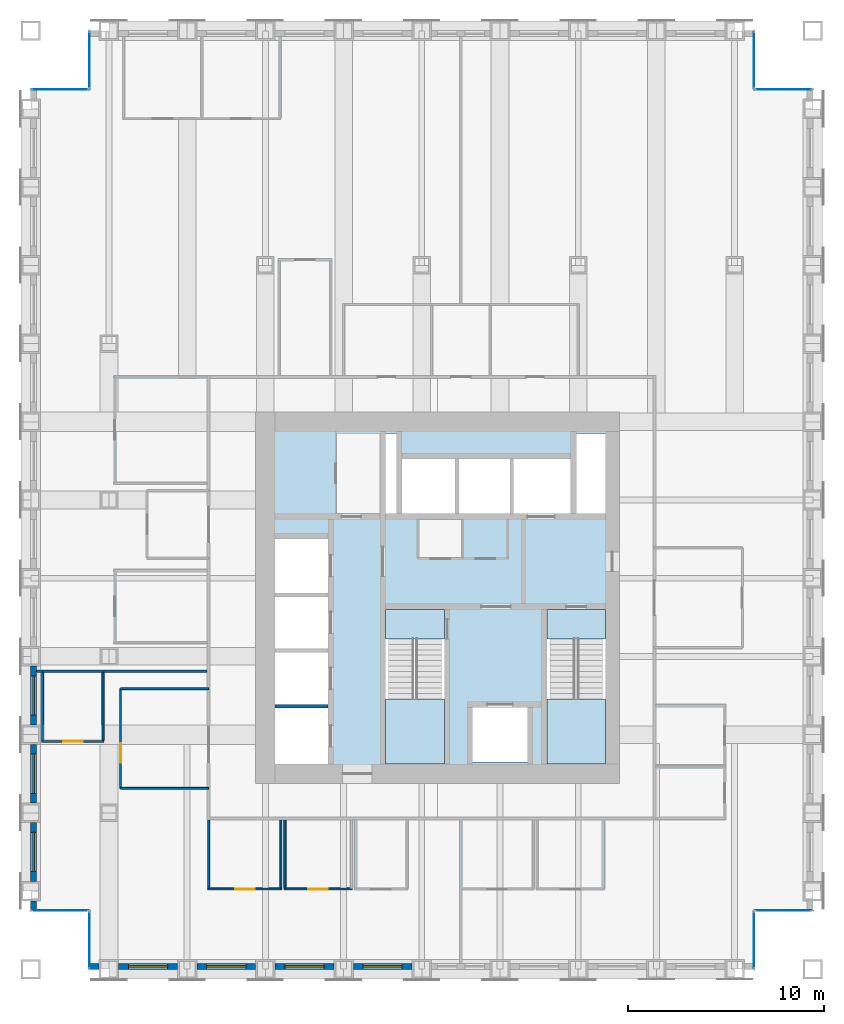
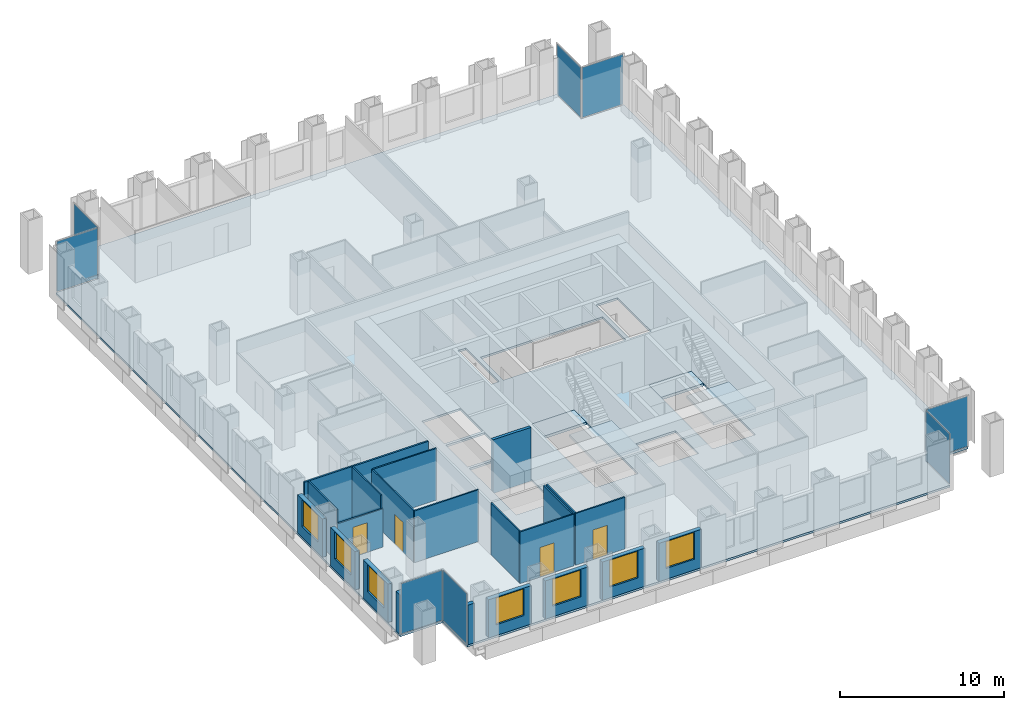
# One storey, part 8 of 14: 22 walls, 8 plates, 7 windows, 5 slabs, 4 doors, 11 openings, 10 elements without a shape of their own.
"""IFC4 building model written with IfcOpenShell, lengths in metres."""

from ifc_helpers import new_model, si_unit, direction, frame, frame_2d, origin, origin_2d, place, context, subcontext, project, spatial, polyline, rectangle, outline, extrude, material, layer, layer_set, type_object, element, fill, aggregate, save


model = new_model("IFC4")

# Units and contexts
model_context = context("Model", 3, precision=1e-05, world=origin(), true_north=direction((0.0, 1.0)))
body_context = subcontext(model_context, "Body", "Model", "MODEL_VIEW")
ifc_project = project(units=[si_unit("LENGTHUNIT", "METRE"), si_unit("AREAUNIT", "SQUARE_METRE"), si_unit("VOLUMEUNIT", "CUBIC_METRE"), si_unit("PLANEANGLEUNIT", "RADIAN"), si_unit("MASSUNIT", "GRAM", prefix="KILO")], contexts=[model_context])

# Site, building, storey
site_placement = place(None, origin())
site = spatial("IfcSite", under=ifc_project, at=site_placement, CompositionType="ELEMENT")
building_placement = place(site_placement, origin())
building = spatial("IfcBuilding", under=site, at=building_placement, Name="Rimbunsela Tower", CompositionType="ELEMENT")
storey_placement = place(building_placement, frame((0.0, 0.0, 179.800048828125)))
storey = spatial("IfcBuildingStorey", under=building, at=storey_placement, Name="L43", CompositionType="ELEMENT", Elevation=179.800048828125)

# Slab
ifc_material_1 = material(Name="Concrete fc' 35 MPa", Category="concrete")
ifc_layer_1 = layer(ifc_material_1, 0.14990234375)
ifc_layer_set_1 = layer_set([ifc_layer_1], Name="Floor slab 150")
slab_type_1 = type_object("IfcSlabType", Name="Floor slab 150", PredefinedType="FLOOR", material=ifc_layer_set_1)
slab_1_placement = place(storey_placement, frame((0.0, 0.0, -0.150146484375)))
element("IfcSlab", 1, at=slab_1_placement, inside=storey, type_object=slab_type_1, Name="Floor slab L43", PredefinedType="FLOOR", context=body_context, shape_type="SweptSolid", body=[
    extrude(outline(polyline([(9.0, 8.0), (43.0, 8.0), (43.0, 11.0), (46.0, 11.0), (46.0, 53.0), (43.0, 53.0), (43.0, 56.0), (9.0, 56.0), (9.0, 53.0), (6.0, 53.0), (6.0, 11.0), (9.0, 11.0), (9.0, 8.0)]), holes=[polyline([(21.199951171875, 21.35009765625), (18.5, 21.35009765625), (18.5, 18.5), (21.199951171875, 18.5), (21.199951171875, 21.35009765625)]), polyline([(21.199951171875, 21.550048828125), (21.199951171875, 24.199951171875), (18.5, 24.199951171875), (18.5, 21.550048828125), (21.199951171875, 21.550048828125)]), polyline([(21.199951171875, 27.050048828125), (18.5, 27.050048828125), (18.5, 24.39990234375), (21.199951171875, 24.39990234375), (21.199951171875, 27.050048828125)]), polyline([(21.199951171875, 27.25), (21.199951171875, 30.0), (18.5, 30.0), (18.5, 27.25), (21.199951171875, 27.25)]), polyline([(27.14990234375, 18.60009765625), (27.14990234375, 26.39990234375), (24.14990234375, 26.39990234375), (24.14990234375, 18.60009765625), (27.14990234375, 18.60009765625)]), polyline([(24.699951171875, 31.300048828125), (24.699951171875, 35.39990234375), (24.14990234375, 35.39990234375), (24.14990234375, 31.300048828125), (24.699951171875, 31.300048828125)]), polyline([(25.0, 34.10009765625), (25.0, 31.300048828125), (33.60009765625, 31.300048828125), (33.60009765625, 34.10009765625), (25.0, 34.10009765625)]), polyline([(31.39990234375, 21.39990234375), (28.60009765625, 21.39990234375), (28.60009765625, 18.60009765625), (31.39990234375, 18.60009765625), (31.39990234375, 21.39990234375)]), polyline([(35.39990234375, 18.60009765625), (35.39990234375, 26.39990234375), (32.39990234375, 26.39990234375), (32.39990234375, 18.60009765625), (35.39990234375, 18.60009765625)]), polyline([(35.39990234375, 31.300048828125), (35.39990234375, 35.39990234375), (33.89990234375, 35.39990234375), (33.89990234375, 31.300048828125), (35.39990234375, 31.300048828125)])]), origin(), (0.0, 0.0, 1.0), 0.150146484375),
])

# Curtain wall, plate
ifc_material_2 = material(Name="Aluminium curtain wall", Category="aluminium")
curtain_wall_type = type_object("IfcCurtainWallType", Name="Corner glazing", PredefinedType="USERDEFINED", material=ifc_material_2)
curtain_wall_1_placement = place(storey_placement, origin())
curtain_wall_1 = element("IfcCurtainWall", 2, at=curtain_wall_1_placement, inside=storey, type_object=curtain_wall_type, Name="Corner glazing L43", ObjectType="CORNER GLAZING", PredefinedType="USERDEFINED")
ifc_material_3 = material(Name="Clear double glazing", Category="glass")
ifc_layer_2 = layer(ifc_material_3, 0.028076171875)
ifc_layer_set_2 = layer_set([ifc_layer_2], Name="Glazed panel clear")
plate_type = type_object("IfcPlateType", Name="Glazed panel clear", PredefinedType="CURTAIN_PANEL", material=ifc_layer_set_2)
plate_1_placement = place(storey_placement, frame((43.0, 9.5, 0.06005859375), z_axis=(0.0, 0.0, 1.0), x_axis=(0.0, 1.0, 0.0)))
plate_1 = element("IfcPlate", 3, at=plate_1_placement, type_object=plate_type, Name="CW5 panel 1.1", PredefinedType="CURTAIN_PANEL", context=body_context, shape_type="SweptSolid", body=[
    extrude(rectangle(XDim=2.8798828125, YDim=0.028076171875, at=origin_2d()), origin(), (0.0, 0.0, 1.0), 3.72998046875),
])
aggregate(curtain_wall_1, [plate_1])

curtain_wall_2_placement = place(storey_placement, origin())
curtain_wall_2 = element("IfcCurtainWall", 4, at=curtain_wall_2_placement, inside=storey, type_object=curtain_wall_type, Name="Corner glazing L43", ObjectType="CORNER GLAZING", PredefinedType="USERDEFINED")
plate_2_placement = place(storey_placement, frame((44.5, 11.0, 0.06005859375), z_axis=(0.0, 0.0, 1.0), x_axis=(1.0, 0.0, 0.0)))
plate_2 = element("IfcPlate", 5, at=plate_2_placement, type_object=plate_type, Name="CW5 panel 1.1", PredefinedType="CURTAIN_PANEL", context=body_context, shape_type="SweptSolid", body=[
    extrude(rectangle(XDim=2.8798828125, YDim=0.028076171875, at=origin_2d()), origin(), (0.0, 0.0, 1.0), 3.72998046875),
])
aggregate(curtain_wall_2, [plate_2])

curtain_wall_3_placement = place(storey_placement, origin())
curtain_wall_3 = element("IfcCurtainWall", 6, at=curtain_wall_3_placement, inside=storey, type_object=curtain_wall_type, Name="Corner glazing L43", ObjectType="CORNER GLAZING", PredefinedType="USERDEFINED")
plate_3_placement = place(storey_placement, frame((44.5, 53.0, 0.06005859375), z_axis=(0.0, 0.0, 1.0), x_axis=(-1.0, 0.0, 0.0)))
plate_3 = element("IfcPlate", 7, at=plate_3_placement, type_object=plate_type, Name="CW5 panel 1.1", PredefinedType="CURTAIN_PANEL", context=body_context, shape_type="SweptSolid", body=[
    extrude(rectangle(XDim=2.8798828125, YDim=0.028076171875, at=origin_2d()), origin(), (0.0, 0.0, 1.0), 3.72998046875),
])
aggregate(curtain_wall_3, [plate_3])

curtain_wall_4_placement = place(storey_placement, origin())
curtain_wall_4 = element("IfcCurtainWall", 8, at=curtain_wall_4_placement, inside=storey, type_object=curtain_wall_type, Name="Corner glazing L43", ObjectType="CORNER GLAZING", PredefinedType="USERDEFINED")
plate_4_placement = place(storey_placement, frame((43.0, 54.5, 0.06005859375), z_axis=(0.0, 0.0, 1.0), x_axis=(0.0, 1.0, 0.0)))
plate_4 = element("IfcPlate", 9, at=plate_4_placement, type_object=plate_type, Name="CW5 panel 1.1", PredefinedType="CURTAIN_PANEL", context=body_context, shape_type="SweptSolid", body=[
    extrude(rectangle(XDim=2.8798828125, YDim=0.028076171875, at=origin_2d()), origin(), (0.0, 0.0, 1.0), 3.72998046875),
])
aggregate(curtain_wall_4, [plate_4])

curtain_wall_5_placement = place(storey_placement, origin())
curtain_wall_5 = element("IfcCurtainWall", 10, at=curtain_wall_5_placement, inside=storey, type_object=curtain_wall_type, Name="Corner glazing L43", ObjectType="CORNER GLAZING", PredefinedType="USERDEFINED")
plate_5_placement = place(storey_placement, frame((9.0, 54.5, 0.06005859375), z_axis=(0.0, 0.0, 1.0), x_axis=(0.0, -1.0, 0.0)))
plate_5 = element("IfcPlate", 11, at=plate_5_placement, type_object=plate_type, Name="CW5 panel 1.1", PredefinedType="CURTAIN_PANEL", context=body_context, shape_type="SweptSolid", body=[
    extrude(rectangle(XDim=2.8798828125, YDim=0.028076171875, at=origin_2d()), origin(), (0.0, 0.0, 1.0), 3.72998046875),
])
aggregate(curtain_wall_5, [plate_5])

curtain_wall_6_placement = place(storey_placement, origin())
curtain_wall_6 = element("IfcCurtainWall", 12, at=curtain_wall_6_placement, inside=storey, type_object=curtain_wall_type, Name="Corner glazing L43", ObjectType="CORNER GLAZING", PredefinedType="USERDEFINED")
plate_6_placement = place(storey_placement, frame((7.5, 53.0, 0.06005859375), z_axis=(0.0, 0.0, 1.0), x_axis=(-1.0, 0.0, 0.0)))
plate_6 = element("IfcPlate", 13, at=plate_6_placement, type_object=plate_type, Name="CW5 panel 1.1", PredefinedType="CURTAIN_PANEL", context=body_context, shape_type="SweptSolid", body=[
    extrude(rectangle(XDim=2.8798828125, YDim=0.028076171875, at=origin_2d()), origin(), (0.0, 0.0, 1.0), 3.72998046875),
])
aggregate(curtain_wall_6, [plate_6])

curtain_wall_7_placement = place(storey_placement, origin())
curtain_wall_7 = element("IfcCurtainWall", 14, at=curtain_wall_7_placement, inside=storey, type_object=curtain_wall_type, Name="Corner glazing L43", ObjectType="CORNER GLAZING", PredefinedType="USERDEFINED")
plate_7_placement = place(storey_placement, frame((7.5, 11.0, 0.06005859375), z_axis=(0.0, 0.0, 1.0), x_axis=(1.0, 0.0, 0.0)))
plate_7 = element("IfcPlate", 15, at=plate_7_placement, type_object=plate_type, Name="CW5 panel 1.1", PredefinedType="CURTAIN_PANEL", context=body_context, shape_type="SweptSolid", body=[
    extrude(rectangle(XDim=2.8798828125, YDim=0.028076171875, at=origin_2d()), origin(), (0.0, 0.0, 1.0), 3.72998046875),
])
aggregate(curtain_wall_7, [plate_7])

curtain_wall_8_placement = place(storey_placement, origin())
curtain_wall_8 = element("IfcCurtainWall", 16, at=curtain_wall_8_placement, inside=storey, type_object=curtain_wall_type, Name="Corner glazing L43", ObjectType="CORNER GLAZING", PredefinedType="USERDEFINED")
plate_8_placement = place(storey_placement, frame((9.0, 9.5, 0.06005859375), z_axis=(0.0, 0.0, 1.0), x_axis=(0.0, -1.0, 0.0)))
plate_8 = element("IfcPlate", 17, at=plate_8_placement, type_object=plate_type, Name="CW5 panel 1.1", PredefinedType="CURTAIN_PANEL", context=body_context, shape_type="SweptSolid", body=[
    extrude(rectangle(XDim=2.8798828125, YDim=0.028076171875, at=origin_2d()), origin(), (0.0, 0.0, 1.0), 3.72998046875),
])
aggregate(curtain_wall_8, [plate_8])

# Stair, slabs
ifc_material_4 = material(Name="Concrete fc' 35 MPa", Category="concrete")
stair_type = type_object("IfcStairType", Name="Exit stair 24 risers", PredefinedType="HALF_TURN_STAIR", material=ifc_material_4)
stair_1_placement = place(storey_placement, origin())
stair_1 = element("IfcStair", 18, at=stair_1_placement, inside=storey, type_object=stair_type, Name="Exit stair A L43", PredefinedType="HALF_TURN_STAIR")
ifc_material_5 = material(Name="Concrete fc' 35 MPa", Category="concrete")
ifc_layer_3 = layer(ifc_material_5, 0.199951171875)
ifc_layer_set_3 = layer_set([ifc_layer_3], Name="Stair landing 200")
slab_type_2 = type_object("IfcSlabType", Name="Stair landing 200", PredefinedType="LANDING", material=ifc_layer_set_3)
slab_2_placement = place(storey_placement, frame((0.0, 0.0, -0.199951171875)))
slab_2 = element("IfcSlab", 19, at=slab_2_placement, type_object=slab_type_2, Name="ST-A landing 1", PredefinedType="LANDING", context=body_context, shape_type="SweptSolid", body=[
    extrude(outline(polyline([(24.14990234375, 24.89990234375), (27.14990234375, 24.89990234375), (27.14990234375, 26.39990234375), (24.14990234375, 26.39990234375), (24.14990234375, 24.89990234375)])), origin(), (0.0, 0.0, 1.0), 0.199951171875),
])
slab_3_placement = place(storey_placement, frame((0.0, 0.0, 1.800048828125)))
slab_3 = element("IfcSlab", 20, at=slab_3_placement, type_object=slab_type_2, Name="ST-A landing 2", PredefinedType="LANDING", context=body_context, shape_type="SweptSolid", body=[
    extrude(outline(polyline([(24.14990234375, 18.5), (27.14990234375, 18.5), (27.14990234375, 21.820068359375), (24.14990234375, 21.820068359375), (24.14990234375, 18.5)])), origin(), (0.0, 0.0, 1.0), 0.199951171875),
])
aggregate(stair_1, [slab_2, slab_3])

stair_2_placement = place(storey_placement, origin())
stair_2 = element("IfcStair", 21, at=stair_2_placement, inside=storey, type_object=stair_type, Name="Exit stair B L43", PredefinedType="HALF_TURN_STAIR")
slab_4_placement = place(storey_placement, frame((0.0, 0.0, -0.199951171875)))
slab_4 = element("IfcSlab", 22, at=slab_4_placement, type_object=slab_type_2, Name="ST-B landing 1", PredefinedType="LANDING", context=body_context, shape_type="SweptSolid", body=[
    extrude(outline(polyline([(32.39990234375, 24.89990234375), (35.39990234375, 24.89990234375), (35.39990234375, 26.39990234375), (32.39990234375, 26.39990234375), (32.39990234375, 24.89990234375)])), origin(), (0.0, 0.0, 1.0), 0.199951171875),
])
slab_5_placement = place(storey_placement, frame((0.0, 0.0, 1.800048828125)))
slab_5 = element("IfcSlab", 23, at=slab_5_placement, type_object=slab_type_2, Name="ST-B landing 2", PredefinedType="LANDING", context=body_context, shape_type="SweptSolid", body=[
    extrude(outline(polyline([(32.39990234375, 18.5), (35.39990234375, 18.5), (35.39990234375, 21.820068359375), (32.39990234375, 21.820068359375), (32.39990234375, 18.5)])), origin(), (0.0, 0.0, 1.0), 0.199951171875),
])
aggregate(stair_2, [slab_4, slab_5])

# Wall
ifc_material_6 = material(Name="Concrete blockwork", Category="masonry")
ifc_layer_4 = layer(ifc_material_6, 0.199951171875)
ifc_layer_set_4 = layer_set([ifc_layer_4], Name="Lift shaft wall 200")
wall_type_1 = type_object("IfcWallType", Name="Lift shaft wall 200", PredefinedType="SOLIDWALL", material=ifc_layer_set_4)
wall_1_placement = place(storey_placement, frame((18.5, 21.449951171875, -0.150146484375), z_axis=(0.0, 0.0, 1.0), x_axis=(1.0, 0.0, 0.0)))
element("IfcWall", 24, at=wall_1_placement, inside=storey, type_object=wall_type_1, Name="Lift shaft separation", PredefinedType="SOLIDWALL", context=body_context, shape_type="SweptSolid", body=[
    extrude(rectangle(XDim=2.699951171875, YDim=0.199951171875, at=frame_2d((1.35009765625, 0.0))), origin(), (0.0, 0.0, 1.0), 4.0),
])

# Wall, opening, door
ifc_material_7 = material(Name="Gypsum board on steel studs", Category="steel")
ifc_layer_5 = layer(ifc_material_7, 0.10009765625)
ifc_layer_set_5 = layer_set([ifc_layer_5], Name="Office partition 100")
wall_type_2 = type_object("IfcWallType", Name="Office partition 100", PredefinedType="PARTITIONING", material=ifc_layer_set_5)
wall_2_placement = place(storey_placement, frame((15.050048828125, 12.10009765625, 0.0), z_axis=(0.0, 0.0, 1.0), x_axis=(1.0, 0.0, 0.0)))
wall_2 = element("IfcWall", 25, at=wall_2_placement, inside=storey, type_object=wall_type_2, Name="Office partition", PredefinedType="PARTITIONING", context=body_context, shape_type="SweptSolid", body=[
    extrude(rectangle(XDim=3.800048828125, YDim=0.10009765625, at=frame_2d((1.89990234375, 0.0))), origin(), (0.0, 0.0, 1.0), 3.849853515625),
])
opening_1_placement = place(wall_2_placement, frame((1.39990234375, 0.0, 0.0)))
opening_1 = element("IfcOpeningElement", 26, at=opening_1_placement, cuts=wall_2, Name="Opening D17", PredefinedType="OPENING", context=body_context, shape_type="SweptSolid", body=[
    extrude(rectangle(XDim=1.0, YDim=2.199951171875, at=frame_2d((0.5, 1.10009765625))), frame((0.0, 0.06005859375, 0.0), z_axis=(0.0, -1.0, 0.0), x_axis=(1.0, 0.0, 0.0)), (0.0, 0.0, 1.0), 0.1201171875),
])
ifc_material_8 = material(Name="Glazed aluminium door", Category="aluminium")
door_type_1 = type_object("IfcDoorType", Name="Meeting room door 1000 glazed", OperationType="SINGLE_SWING_RIGHT", PredefinedType="DOOR", material=ifc_material_8)
door_1_placement = place(opening_1_placement, origin())
door_1 = element("IfcDoor", 27, at=door_1_placement, inside=storey, type_object=door_type_1, Name="Meeting room door", OperationType="SINGLE_SWING_RIGHT", OverallHeight=2.199951171875, OverallWidth=1.0, PredefinedType="DOOR", context=body_context, shape_type="SweptSolid", body=[
    extrude(rectangle(XDim=1.0, YDim=2.199951171875, at=frame_2d((0.5, 1.10009765625))), frame((0.0, 0.02490234375, 0.0), z_axis=(0.0, -1.0, 0.0), x_axis=(1.0, 0.0, 0.0)), (0.0, 0.0, 1.0), 0.050048828125),
])
fill(opening_1, door_1)

wall_3_placement = place(storey_placement, frame((18.949951171875, 12.10009765625, 0.0), z_axis=(0.0, 0.0, 1.0), x_axis=(1.0, 0.0, 0.0)))
wall_3 = element("IfcWall", 28, at=wall_3_placement, inside=storey, type_object=wall_type_2, Name="Office partition", PredefinedType="PARTITIONING", context=body_context, shape_type="SweptSolid", body=[
    extrude(rectangle(XDim=3.5, YDim=0.10009765625, at=frame_2d((1.75, 0.0))), origin(), (0.0, 0.0, 1.0), 3.849853515625),
])
opening_2_placement = place(wall_3_placement, frame((1.25, 0.0, 0.0)))
opening_2 = element("IfcOpeningElement", 29, at=opening_2_placement, cuts=wall_3, Name="Opening D16", PredefinedType="OPENING", context=body_context, shape_type="SweptSolid", body=[
    extrude(rectangle(XDim=1.0, YDim=2.199951171875, at=frame_2d((0.5, 1.10009765625))), frame((0.0, 0.06005859375, 0.0), z_axis=(0.0, -1.0, 0.0), x_axis=(1.0, 0.0, 0.0)), (0.0, 0.0, 1.0), 0.1201171875),
])
ifc_material_9 = material(Name="Timber door", Category="wood")
door_type_2 = type_object("IfcDoorType", Name="Office door 1000", OperationType="SINGLE_SWING_LEFT", PredefinedType="DOOR", material=ifc_material_9)
door_2_placement = place(opening_2_placement, origin())
door_2 = element("IfcDoor", 30, at=door_2_placement, inside=storey, type_object=door_type_2, Name="Office door", OperationType="SINGLE_SWING_LEFT", OverallHeight=2.199951171875, OverallWidth=1.0, PredefinedType="DOOR", context=body_context, shape_type="SweptSolid", body=[
    extrude(rectangle(XDim=1.0, YDim=2.199951171875, at=frame_2d((0.5, 1.10009765625))), frame((0.0, 0.02490234375, 0.0), z_axis=(0.0, -1.0, 0.0), x_axis=(1.0, 0.0, 0.0)), (0.0, 0.0, 1.0), 0.050048828125),
])
fill(opening_2, door_2)

wall_4_placement = place(storey_placement, frame((6.550048828125, 19.64990234375, 0.0), z_axis=(0.0, 0.0, 1.0), x_axis=(1.0, 0.0, 0.0)))
wall_4 = element("IfcWall", 31, at=wall_4_placement, inside=storey, type_object=wall_type_2, Name="Office partition", PredefinedType="PARTITIONING", context=body_context, shape_type="SweptSolid", body=[
    extrude(rectangle(XDim=3.199951171875, YDim=0.10009765625, at=frame_2d((1.60009765625, 0.0))), origin(), (0.0, 0.0, 1.0), 2.849853515625),
])
opening_3_placement = place(wall_4_placement, frame((1.10009765625, 0.0, 0.0)))
opening_3 = element("IfcOpeningElement", 32, at=opening_3_placement, cuts=wall_4, Name="Opening D16", PredefinedType="OPENING", context=body_context, shape_type="SweptSolid", body=[
    extrude(rectangle(XDim=1.0, YDim=2.199951171875, at=frame_2d((0.5, 1.10009765625))), frame((0.0, 0.06005859375, 0.0), z_axis=(0.0, -1.0, 0.0), x_axis=(1.0, 0.0, 0.0)), (0.0, 0.0, 1.0), 0.1201171875),
])
door_3_placement = place(opening_3_placement, origin())
door_3 = element("IfcDoor", 33, at=door_3_placement, inside=storey, type_object=door_type_2, Name="Office door", OperationType="SINGLE_SWING_LEFT", OverallHeight=2.199951171875, OverallWidth=1.0, PredefinedType="DOOR", context=body_context, shape_type="SweptSolid", body=[
    extrude(rectangle(XDim=1.0, YDim=2.199951171875, at=frame_2d((0.5, 1.10009765625))), frame((0.0, 0.02490234375, 0.0), z_axis=(0.0, -1.0, 0.0), x_axis=(1.0, 0.0, 0.0)), (0.0, 0.0, 1.0), 0.050048828125),
])
fill(opening_3, door_3)

# Walls
for number, where, z_axis, x_axis, name in (
    (34, (6.60009765625, 19.699951171875, 0.0), (0.0, 0.0, 1.0), (0.0, 1.0, 0.0), "Office partition"),
    (35, (9.699951171875, 19.699951171875, 0.0), (0.0, 0.0, 1.0), (0.0, 1.0, 0.0), "Office partition"),
):
    element("IfcWall", number, at=place(storey_placement, frame(where, z_axis=z_axis, x_axis=x_axis)), inside=storey, type_object=wall_type_2, Name=name, PredefinedType="PARTITIONING", context=body_context, shape_type="SweptSolid", body=[
        extrude(rectangle(XDim=3.489990234375, YDim=0.10009765625, at=frame_2d((1.7451171875, 0.0))), origin(), (0.0, 0.0, 1.0), 3.849853515625),
    ])
for number, where, z_axis, x_axis, name in (
    (36, (15.10009765625, 12.14990234375, 0.0), (0.0, 0.0, 1.0), (0.0, 1.0, 0.0), "Office partition"),
    (37, (18.800048828125, 12.14990234375, 0.0), (0.0, 0.0, 1.0), (0.0, 1.0, 0.0), "Office partition"),
    (38, (19.0, 12.14990234375, 0.0), (0.0, 0.0, 1.0), (0.0, 1.0, 0.0), "Office partition"),
):
    element("IfcWall", number, at=place(storey_placement, frame(where, z_axis=z_axis, x_axis=x_axis)), inside=storey, type_object=wall_type_2, Name=name, PredefinedType="PARTITIONING", context=body_context, shape_type="SweptSolid", body=[
        extrude(rectangle(XDim=3.47509765625, YDim=0.10009765625, at=frame_2d((1.737548828125, 0.0))), origin(), (0.0, 0.0, 1.0), 3.849853515625),
    ])
wall_5_placement = place(storey_placement, frame((15.10009765625, 22.34912109375, 0.0), z_axis=(0.0, 0.0, 1.0), x_axis=(-1.0, 0.0, 0.0)))
element("IfcWall", 39, at=wall_5_placement, inside=storey, type_object=wall_type_2, Name="Office partition", PredefinedType="PARTITIONING", context=body_context, shape_type="SweptSolid", body=[
    extrude(rectangle(XDim=4.5, YDim=0.10009765625, at=frame_2d((2.25, 0.0))), origin(), (0.0, 0.0, 1.0), 3.849853515625),
])

# Wall, opening, door
wall_6_placement = place(storey_placement, frame((10.60009765625, 22.34912109375, 0.0), z_axis=(0.0, 0.0, 1.0), x_axis=(0.0, -1.0, 0.0)))
wall_6 = element("IfcWall", 40, at=wall_6_placement, inside=storey, type_object=wall_type_2, Name="Office partition", PredefinedType="PARTITIONING", context=body_context, shape_type="SweptSolid", body=[
    extrude(rectangle(XDim=5.10009765625, YDim=0.10009765625, at=frame_2d((2.550048828125, 0.0))), origin(), (0.0, 0.0, 1.0), 3.849853515625),
])
opening_4_placement = place(wall_6_placement, frame((2.800048828125, 0.0, 0.0)))
opening_4 = element("IfcOpeningElement", 41, at=opening_4_placement, cuts=wall_6, Name="Opening D17", PredefinedType="OPENING", context=body_context, shape_type="SweptSolid", body=[
    extrude(rectangle(XDim=1.0, YDim=2.199951171875, at=frame_2d((0.5, 1.10009765625))), frame((0.0, 0.06005859375, 0.0), z_axis=(0.0, -1.0, 0.0), x_axis=(1.0, 0.0, 0.0)), (0.0, 0.0, 1.0), 0.1201171875),
])
door_4_placement = place(opening_4_placement, origin())
door_4 = element("IfcDoor", 42, at=door_4_placement, inside=storey, type_object=door_type_1, Name="Reception door", OperationType="SINGLE_SWING_RIGHT", OverallHeight=2.199951171875, OverallWidth=1.0, PredefinedType="DOOR", context=body_context, shape_type="SweptSolid", body=[
    extrude(rectangle(XDim=1.0, YDim=2.199951171875, at=frame_2d((0.5, 1.10009765625))), frame((0.0, 0.02490234375, 0.0), z_axis=(0.0, -1.0, 0.0), x_axis=(1.0, 0.0, 0.0)), (0.0, 0.0, 1.0), 0.050048828125),
])
fill(opening_4, door_4)

# Walls
wall_7_placement = place(storey_placement, frame((10.60009765625, 17.2490234375, 0.0), z_axis=(0.0, 0.0, 1.0), x_axis=(1.0, 0.0, 0.0)))
element("IfcWall", 43, at=wall_7_placement, inside=storey, type_object=wall_type_2, Name="Office partition", PredefinedType="PARTITIONING", context=body_context, shape_type="SweptSolid", body=[
    extrude(rectangle(XDim=4.5, YDim=0.10009765625, at=frame_2d((2.25, 0.0))), origin(), (0.0, 0.0, 1.0), 3.849853515625),
])
ifc_material_10 = material(Name="Precast concrete fc' 35 MPa", Category="concrete")
ifc_layer_6 = layer(ifc_material_10, 0.300048828125)
ifc_layer_set_6 = layer_set([ifc_layer_6], Name="Precast concrete fc' 35 MPa")
wall_type_3 = type_object("IfcWallType", Name="Precast facade panel 300", PredefinedType="ELEMENTEDWALL", material=ifc_layer_set_6)
wall_8_placement = place(storey_placement, frame((9.030029296875, 8.14990234375, 0.0), z_axis=(0.0, 0.0, 1.0), x_axis=(1.0, 0.0, 0.0)))
element("IfcWall", 44, at=wall_8_placement, inside=storey, type_object=wall_type_3, Name="Facade panel S L43", PredefinedType="ELEMENTEDWALL", context=body_context, shape_type="SweptSolid", body=[
    extrude(rectangle(XDim=0.469970703125, YDim=0.300048828125, at=frame_2d((0.23486328125, 0.0))), origin(), (0.0, 0.0, 1.0), 2.949951171875),
])

# Wall, opening, window
wall_9_placement = place(storey_placement, frame((10.5, 8.14990234375, 0.0), z_axis=(0.0, 0.0, 1.0), x_axis=(1.0, 0.0, 0.0)))
wall_9 = element("IfcWall", 45, at=wall_9_placement, inside=storey, type_object=wall_type_3, Name="Facade panel S L43", PredefinedType="ELEMENTEDWALL", context=body_context, shape_type="SweptSolid", body=[
    extrude(rectangle(XDim=3.0, YDim=0.300048828125, at=frame_2d((1.5, 0.0))), origin(), (0.0, 0.0, 1.0), 2.849853515625),
])
opening_5_placement = place(wall_9_placement, frame((0.5, 0.0, 0.800048828125)))
opening_5 = element("IfcOpeningElement", 46, at=opening_5_placement, cuts=wall_9, Name="Opening W1", PredefinedType="OPENING", context=body_context, shape_type="SweptSolid", body=[
    extrude(rectangle(XDim=2.0, YDim=2.0, at=frame_2d((1.0, 1.0))), frame((0.0, 0.159912109375, 0.0), z_axis=(0.0, -1.0, 0.0), x_axis=(1.0, 0.0, 0.0)), (0.0, 0.0, 1.0), 0.320068359375),
])
ifc_material_11 = material(Name="Clear glass in aluminium frame", Category="aluminium")
window_type = type_object("IfcWindowType", Name="Window W1 2000x2000", PartitioningType="DOUBLE_PANEL_VERTICAL", PredefinedType="WINDOW", material=ifc_material_11)
window_1_placement = place(opening_5_placement, origin())
window_1 = element("IfcWindow", 47, at=window_1_placement, inside=storey, type_object=window_type, Name="Window L43", OverallHeight=2.0, OverallWidth=2.0, PartitioningType="SINGLE_PANEL", PredefinedType="WINDOW", context=body_context, shape_type="SweptSolid", body=[
    extrude(rectangle(XDim=2.0, YDim=2.0, at=frame_2d((1.0, 1.0))), frame((0.0, 0.030029296875, 0.0), z_axis=(0.0, -1.0, 0.0), x_axis=(1.0, 0.0, 0.0)), (0.0, 0.0, 1.0), 0.06005859375),
])
fill(opening_5, window_1)

wall_10_placement = place(storey_placement, frame((14.5, 8.14990234375, 0.0), z_axis=(0.0, 0.0, 1.0), x_axis=(1.0, 0.0, 0.0)))
wall_10 = element("IfcWall", 48, at=wall_10_placement, inside=storey, type_object=wall_type_3, Name="Facade panel S L43", PredefinedType="ELEMENTEDWALL", context=body_context, shape_type="SweptSolid", body=[
    extrude(rectangle(XDim=3.0, YDim=0.300048828125, at=frame_2d((1.5, 0.0))), origin(), (0.0, 0.0, 1.0), 2.849853515625),
])
opening_6_placement = place(wall_10_placement, frame((0.5, 0.0, 0.800048828125)))
opening_6 = element("IfcOpeningElement", 49, at=opening_6_placement, cuts=wall_10, Name="Opening W1", PredefinedType="OPENING", context=body_context, shape_type="SweptSolid", body=[
    extrude(rectangle(XDim=2.0, YDim=2.0, at=frame_2d((1.0, 1.0))), frame((0.0, 0.159912109375, 0.0), z_axis=(0.0, -1.0, 0.0), x_axis=(1.0, 0.0, 0.0)), (0.0, 0.0, 1.0), 0.320068359375),
])
window_2_placement = place(opening_6_placement, origin())
window_2 = element("IfcWindow", 50, at=window_2_placement, inside=storey, type_object=window_type, Name="Window L43", OverallHeight=2.0, OverallWidth=2.0, PartitioningType="SINGLE_PANEL", PredefinedType="WINDOW", context=body_context, shape_type="SweptSolid", body=[
    extrude(rectangle(XDim=2.0, YDim=2.0, at=frame_2d((1.0, 1.0))), frame((0.0, 0.030029296875, 0.0), z_axis=(0.0, -1.0, 0.0), x_axis=(1.0, 0.0, 0.0)), (0.0, 0.0, 1.0), 0.06005859375),
])
fill(opening_6, window_2)

wall_11_placement = place(storey_placement, frame((18.5, 8.14990234375, 0.0), z_axis=(0.0, 0.0, 1.0), x_axis=(1.0, 0.0, 0.0)))
wall_11 = element("IfcWall", 51, at=wall_11_placement, inside=storey, type_object=wall_type_3, Name="Facade panel S L43", PredefinedType="ELEMENTEDWALL", context=body_context, shape_type="SweptSolid", body=[
    extrude(rectangle(XDim=3.0, YDim=0.300048828125, at=frame_2d((1.5, 0.0))), origin(), (0.0, 0.0, 1.0), 2.849853515625),
])
opening_7_placement = place(wall_11_placement, frame((0.5, 0.0, 0.800048828125)))
opening_7 = element("IfcOpeningElement", 52, at=opening_7_placement, cuts=wall_11, Name="Opening W1", PredefinedType="OPENING", context=body_context, shape_type="SweptSolid", body=[
    extrude(rectangle(XDim=2.0, YDim=2.0, at=frame_2d((1.0, 1.0))), frame((0.0, 0.159912109375, 0.0), z_axis=(0.0, -1.0, 0.0), x_axis=(1.0, 0.0, 0.0)), (0.0, 0.0, 1.0), 0.320068359375),
])
window_3_placement = place(opening_7_placement, origin())
window_3 = element("IfcWindow", 53, at=window_3_placement, inside=storey, type_object=window_type, Name="Window L43", OverallHeight=2.0, OverallWidth=2.0, PartitioningType="SINGLE_PANEL", PredefinedType="WINDOW", context=body_context, shape_type="SweptSolid", body=[
    extrude(rectangle(XDim=2.0, YDim=2.0, at=frame_2d((1.0, 1.0))), frame((0.0, 0.030029296875, 0.0), z_axis=(0.0, -1.0, 0.0), x_axis=(1.0, 0.0, 0.0)), (0.0, 0.0, 1.0), 0.06005859375),
])
fill(opening_7, window_3)

wall_12_placement = place(storey_placement, frame((22.5, 8.14990234375, 0.0), z_axis=(0.0, 0.0, 1.0), x_axis=(1.0, 0.0, 0.0)))
wall_12 = element("IfcWall", 54, at=wall_12_placement, inside=storey, type_object=wall_type_3, Name="Facade panel S L43", PredefinedType="ELEMENTEDWALL", context=body_context, shape_type="SweptSolid", body=[
    extrude(rectangle(XDim=3.0, YDim=0.300048828125, at=frame_2d((1.5, 0.0))), origin(), (0.0, 0.0, 1.0), 2.849853515625),
])
opening_8_placement = place(wall_12_placement, frame((0.5, 0.0, 0.800048828125)))
opening_8 = element("IfcOpeningElement", 55, at=opening_8_placement, cuts=wall_12, Name="Opening W1", PredefinedType="OPENING", context=body_context, shape_type="SweptSolid", body=[
    extrude(rectangle(XDim=2.0, YDim=2.0, at=frame_2d((1.0, 1.0))), frame((0.0, 0.159912109375, 0.0), z_axis=(0.0, -1.0, 0.0), x_axis=(1.0, 0.0, 0.0)), (0.0, 0.0, 1.0), 0.320068359375),
])
window_4_placement = place(opening_8_placement, origin())
window_4 = element("IfcWindow", 56, at=window_4_placement, inside=storey, type_object=window_type, Name="Window L43", OverallHeight=2.0, OverallWidth=2.0, PartitioningType="SINGLE_PANEL", PredefinedType="WINDOW", context=body_context, shape_type="SweptSolid", body=[
    extrude(rectangle(XDim=2.0, YDim=2.0, at=frame_2d((1.0, 1.0))), frame((0.0, 0.030029296875, 0.0), z_axis=(0.0, -1.0, 0.0), x_axis=(1.0, 0.0, 0.0)), (0.0, 0.0, 1.0), 0.06005859375),
])
fill(opening_8, window_4)

# Wall
wall_13_placement = place(storey_placement, frame((6.14990234375, 11.5, 0.0), z_axis=(0.0, 0.0, 1.0), x_axis=(0.0, -1.0, 0.0)))
element("IfcWall", 57, at=wall_13_placement, inside=storey, type_object=wall_type_3, Name="Facade panel W L43", PredefinedType="ELEMENTEDWALL", context=body_context, shape_type="SweptSolid", body=[
    extrude(rectangle(XDim=0.469970703125, YDim=0.300048828125, at=frame_2d((0.23486328125, 0.0))), origin(), (0.0, 0.0, 1.0), 2.949951171875),
])

# Wall, opening, window
wall_14_placement = place(storey_placement, frame((6.14990234375, 15.5, 0.0), z_axis=(0.0, 0.0, 1.0), x_axis=(0.0, -1.0, 0.0)))
wall_14 = element("IfcWall", 58, at=wall_14_placement, inside=storey, type_object=wall_type_3, Name="Facade panel W L43", PredefinedType="ELEMENTEDWALL", context=body_context, shape_type="SweptSolid", body=[
    extrude(rectangle(XDim=3.0, YDim=0.300048828125, at=frame_2d((1.5, 0.0))), origin(), (0.0, 0.0, 1.0), 2.849853515625),
])
opening_9_placement = place(wall_14_placement, frame((0.5, 0.0, 0.800048828125)))
opening_9 = element("IfcOpeningElement", 59, at=opening_9_placement, cuts=wall_14, Name="Opening W1", PredefinedType="OPENING", context=body_context, shape_type="SweptSolid", body=[
    extrude(rectangle(XDim=2.0, YDim=2.0, at=frame_2d((1.0, 1.0))), frame((0.0, 0.159912109375, 0.0), z_axis=(0.0, -1.0, 0.0), x_axis=(1.0, 0.0, 0.0)), (0.0, 0.0, 1.0), 0.320068359375),
])
window_5_placement = place(opening_9_placement, origin())
window_5 = element("IfcWindow", 60, at=window_5_placement, inside=storey, type_object=window_type, Name="Window L43", OverallHeight=2.0, OverallWidth=2.0, PartitioningType="SINGLE_PANEL", PredefinedType="WINDOW", context=body_context, shape_type="SweptSolid", body=[
    extrude(rectangle(XDim=2.0, YDim=2.0, at=frame_2d((1.0, 1.0))), frame((0.0, 0.030029296875, 0.0), z_axis=(0.0, -1.0, 0.0), x_axis=(1.0, 0.0, 0.0)), (0.0, 0.0, 1.0), 0.06005859375),
])
fill(opening_9, window_5)

wall_15_placement = place(storey_placement, frame((6.14990234375, 19.5, 0.0), z_axis=(0.0, 0.0, 1.0), x_axis=(0.0, -1.0, 0.0)))
wall_15 = element("IfcWall", 61, at=wall_15_placement, inside=storey, type_object=wall_type_3, Name="Facade panel W L43", PredefinedType="ELEMENTEDWALL", context=body_context, shape_type="SweptSolid", body=[
    extrude(rectangle(XDim=3.0, YDim=0.300048828125, at=frame_2d((1.5, 0.0))), origin(), (0.0, 0.0, 1.0), 2.849853515625),
])
opening_10_placement = place(wall_15_placement, frame((0.5, 0.0, 0.800048828125)))
opening_10 = element("IfcOpeningElement", 62, at=opening_10_placement, cuts=wall_15, Name="Opening W1", PredefinedType="OPENING", context=body_context, shape_type="SweptSolid", body=[
    extrude(rectangle(XDim=2.0, YDim=2.0, at=frame_2d((1.0, 1.0))), frame((0.0, 0.159912109375, 0.0), z_axis=(0.0, -1.0, 0.0), x_axis=(1.0, 0.0, 0.0)), (0.0, 0.0, 1.0), 0.320068359375),
])
window_6_placement = place(opening_10_placement, origin())
window_6 = element("IfcWindow", 63, at=window_6_placement, inside=storey, type_object=window_type, Name="Window L43", OverallHeight=2.0, OverallWidth=2.0, PartitioningType="SINGLE_PANEL", PredefinedType="WINDOW", context=body_context, shape_type="SweptSolid", body=[
    extrude(rectangle(XDim=2.0, YDim=2.0, at=frame_2d((1.0, 1.0))), frame((0.0, 0.030029296875, 0.0), z_axis=(0.0, -1.0, 0.0), x_axis=(1.0, 0.0, 0.0)), (0.0, 0.0, 1.0), 0.06005859375),
])
fill(opening_10, window_6)

wall_16_placement = place(storey_placement, frame((6.14990234375, 23.5, 0.0), z_axis=(0.0, 0.0, 1.0), x_axis=(0.0, -1.0, 0.0)))
wall_16 = element("IfcWall", 64, at=wall_16_placement, inside=storey, type_object=wall_type_3, Name="Facade panel W L43", PredefinedType="ELEMENTEDWALL", context=body_context, shape_type="SweptSolid", body=[
    extrude(rectangle(XDim=3.0, YDim=0.300048828125, at=frame_2d((1.5, 0.0))), origin(), (0.0, 0.0, 1.0), 2.849853515625),
])
opening_11_placement = place(wall_16_placement, frame((0.5, 0.0, 0.800048828125)))
opening_11 = element("IfcOpeningElement", 65, at=opening_11_placement, cuts=wall_16, Name="Opening W1", PredefinedType="OPENING", context=body_context, shape_type="SweptSolid", body=[
    extrude(rectangle(XDim=2.0, YDim=2.0, at=frame_2d((1.0, 1.0))), frame((0.0, 0.159912109375, 0.0), z_axis=(0.0, -1.0, 0.0), x_axis=(1.0, 0.0, 0.0)), (0.0, 0.0, 1.0), 0.320068359375),
])
window_7_placement = place(opening_11_placement, origin())
window_7 = element("IfcWindow", 66, at=window_7_placement, inside=storey, type_object=window_type, Name="Window L43", OverallHeight=2.0, OverallWidth=2.0, PartitioningType="SINGLE_PANEL", PredefinedType="WINDOW", context=body_context, shape_type="SweptSolid", body=[
    extrude(rectangle(XDim=2.0, YDim=2.0, at=frame_2d((1.0, 1.0))), frame((0.0, 0.030029296875, 0.0), z_axis=(0.0, -1.0, 0.0), x_axis=(1.0, 0.0, 0.0)), (0.0, 0.0, 1.0), 0.06005859375),
])
fill(opening_11, window_7)

# Wall
ifc_material_12 = material(Name="Gypsum board on steel studs", Category="steel")
ifc_layer_7 = layer(ifc_material_12, 0.1201171875)
ifc_layer_set_7 = layer_set([ifc_layer_7], Name="Tenancy partition 120")
wall_type_4 = type_object("IfcWallType", Name="Tenancy partition 120", PredefinedType="PARTITIONING", material=ifc_layer_set_7)
wall_17_placement = place(storey_placement, frame((6.300048828125, 23.25, 0.0), z_axis=(0.0, 0.0, 1.0), x_axis=(1.0, 0.0, 0.0)))
element("IfcWall", 67, at=wall_17_placement, inside=storey, type_object=wall_type_4, Name="Tenancy partition", PredefinedType="PARTITIONING", context=body_context, shape_type="SweptSolid", body=[
    extrude(rectangle(XDim=8.724853515625, YDim=0.1201171875, at=frame_2d((4.3623046875, 0.0))), origin(), (0.0, 0.0, 1.0), 3.849853515625),
])

save(model, "model.ifc")
